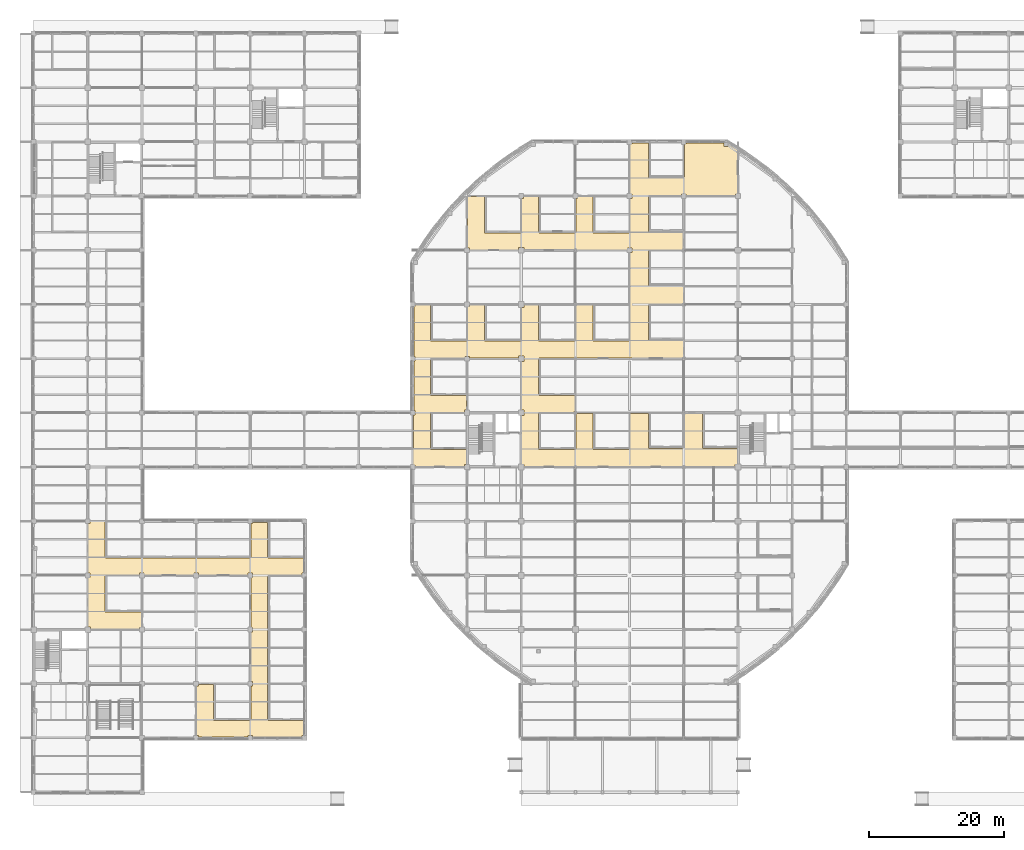
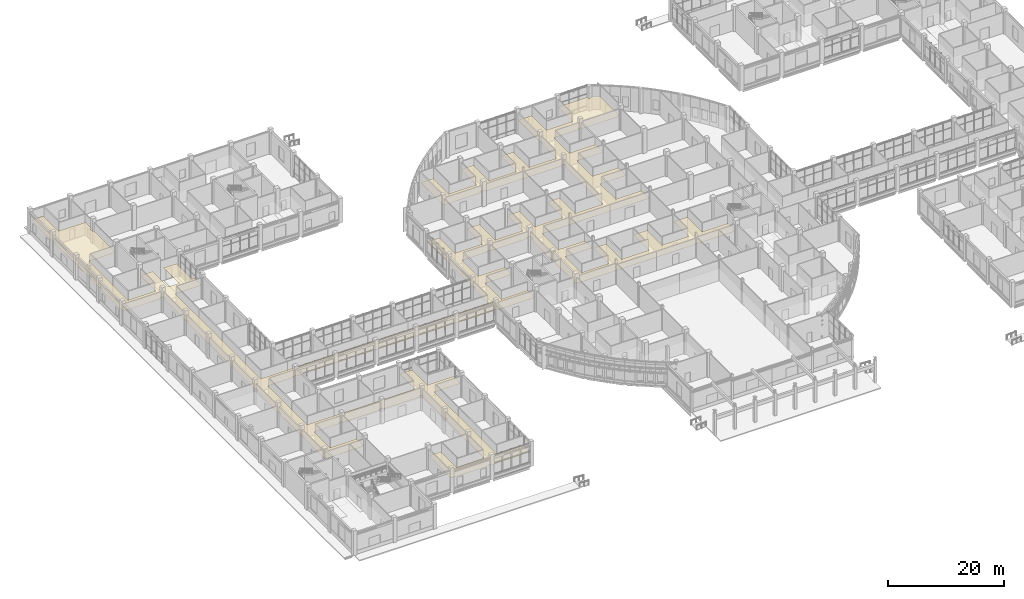
# One storey, part 94 of 105: 1 covering.
"""IFC4 building model written with IfcOpenShell, lengths in metres."""

from ifc_helpers import new_model, si_unit, derived_unit, direction, frame, origin, place, context, subcontext, project, spatial, polyline, outline, extrude, material, layer, layer_set, type_object, element, save


model = new_model("IFC4")

# Units and contexts
model_context = context("Model", 3, precision=1e-05, world=origin(), true_north=direction((0.0, 1.0)))
body_context = subcontext(model_context, "Body", "Model", "MODEL_VIEW")
ifc_project = project(units=[si_unit("LENGTHUNIT", "METRE"), si_unit("AREAUNIT", "SQUARE_METRE"), si_unit("VOLUMEUNIT", "CUBIC_METRE"), si_unit("PLANEANGLEUNIT", "RADIAN"), si_unit("MASSUNIT", "GRAM", prefix="KILO"), derived_unit("THERMALTRANSMITTANCEUNIT", [(si_unit("MASSUNIT", "GRAM", prefix="KILO"), 1), (si_unit("TIMEUNIT", "SECOND"), -3), (si_unit("THERMODYNAMICTEMPERATUREUNIT", "KELVIN"), -1)])], contexts=[model_context])

# Site, building, storey
site_placement = place(None, origin())
site = spatial("IfcSite", under=ifc_project, at=site_placement, CompositionType="ELEMENT")
building_placement = place(site_placement, origin())
building = spatial("IfcBuilding", under=site, at=building_placement, Name="Veyamyaing Civic Hall", CompositionType="ELEMENT")
storey_placement = place(building_placement, origin())
storey = spatial("IfcBuildingStorey", under=building, at=storey_placement, Name="L00", CompositionType="ELEMENT", Elevation=0.0)

# Covering
ifc_material = material(Name="Perforated acoustic gypsum ceiling board")
ifc_layer = layer(ifc_material, 0.02490234375, Name="Perforated acoustic gypsum ceiling board")
ifc_layer_set = layer_set([ifc_layer], Name="Perforated acoustic gypsum ceiling board")
covering_type = type_object("IfcCoveringType", Name="CLG-01", PredefinedType="CEILING", material=ifc_layer_set)
covering_placement = place(storey_placement, frame((0.0, 0.0, 2.699951171875)))
element("IfcCovering", 1, at=covering_placement, inside=storey, type_object=covering_type, Name="Acoustic suspended ceiling CLG-01 L00-C02", PredefinedType="CEILING", context=body_context, shape_type="SweptSolid", body=[
    extrude(outline(polyline([(26.587890625, 10.6083984375), (26.6025390625, 10.59228515625), (26.620849609375, 10.581298828125), (26.652587890625, 10.574951171875), (31.99755859375, 10.574951171875), (32.029296875, 10.581298828125), (32.04736328125, 10.59228515625), (32.06201171875, 10.6083984375), (32.071533203125, 10.62841796875), (32.074951171875, 10.65185546875), (32.074951171875, 15.6650390625), (32.3349609375, 15.6650390625), (32.3349609375, 16.3349609375), (32.074951171875, 16.3349609375), (32.074951171875, 23.6650390625), (32.3349609375, 23.6650390625), (32.3349609375, 24.3349609375), (32.074951171875, 24.3349609375), (32.074951171875, 31.6650390625), (32.3349609375, 31.6650390625), (32.3349609375, 32.3349609375), (31.6650390625, 32.3349609375), (31.6650390625, 32.074951171875), (24.3349609375, 32.074951171875), (24.3349609375, 32.3349609375), (23.6650390625, 32.3349609375), (23.6650390625, 32.074951171875), (16.3349609375, 32.074951171875), (16.3349609375, 32.3349609375), (15.6650390625, 32.3349609375), (15.6650390625, 32.074951171875), (10.65185546875, 32.074951171875), (10.62841796875, 32.071533203125), (10.6083984375, 32.06201171875), (10.59228515625, 32.04736328125), (10.581298828125, 32.029296875), (10.574951171875, 31.99755859375), (10.574951171875, 26.65185546875), (10.57861328125, 26.62841796875), (10.587890625, 26.6083984375), (10.60302734375, 26.591796875), (10.61474609375, 26.583984375), (10.627685546875, 26.57861328125), (10.65185546875, 26.574951171875), (15.925048828125, 26.574951171875), (15.925048828125, 24.3349609375), (15.6650390625, 24.3349609375), (15.6650390625, 24.074951171875), (8.385009765625, 24.074951171875), (8.385009765625, 24.385009765625), (8.074951171875, 24.385009765625), (8.074951171875, 31.6650390625), (8.3349609375, 31.6650390625), (8.3349609375, 32.3349609375), (8.074951171875, 32.3349609375), (8.074951171875, 39.6650390625), (8.3349609375, 39.6650390625), (8.3349609375, 40.3349609375), (8.074951171875, 40.3349609375), (8.074951171875, 47.6650390625), (8.3349609375, 47.6650390625), (8.3349609375, 48.3349609375), (8.074951171875, 48.3349609375), (8.074951171875, 55.6650390625), (8.3349609375, 55.6650390625), (8.3349609375, 56.3349609375), (8.074951171875, 56.3349609375), (8.074951171875, 63.6650390625), (8.3349609375, 63.6650390625), (8.3349609375, 64.3349609375), (8.074951171875, 64.3349609375), (8.074951171875, 71.6650390625), (8.3349609375, 71.6650390625), (8.3349609375, 72.3349609375), (8.074951171875, 72.3349609375), (8.074951171875, 79.639892578125), (8.360107421875, 79.639892578125), (8.360107421875, 80.360107421875), (7.639892578125, 80.360107421875), (7.639892578125, 80.074951171875), (0.360107421875, 80.074951171875), (0.360107421875, 80.360107421875), (0.155029296875, 80.360107421875), (0.155029296875, 87.639892578125), (0.360107421875, 87.639892578125), (0.360107421875, 88.360107421875), (0.155029296875, 88.360107421875), (0.155029296875, 91.715087890625), (0.4599609375, 91.715087890625), (0.4599609375, 92.284912109375), (0.155029296875, 92.284912109375), (0.155029296875, 95.639892578125), (0.360107421875, 95.639892578125), (0.360107421875, 96.360107421875), (0.155029296875, 96.360107421875), (0.155029296875, 103.639892578125), (0.360107421875, 103.639892578125), (0.360107421875, 104.360107421875), (0.155029296875, 104.360107421875), (0.155029296875, 111.639892578125), (0.360107421875, 111.639892578125), (0.360107421875, 111.844970703125), (2.574951171875, 111.844970703125), (2.574951171875, 106.65185546875), (2.57861328125, 106.627685546875), (2.583740234375, 106.615234375), (2.597412109375, 106.5966796875), (2.60791015625, 106.588134765625), (2.62841796875, 106.57861328125), (2.65185546875, 106.574951171875), (7.925048828125, 106.574951171875), (7.925048828125, 104.360107421875), (7.639892578125, 104.360107421875), (7.639892578125, 103.639892578125), (7.925048828125, 103.639892578125), (7.925048828125, 96.385009765625), (7.614990234375, 96.385009765625), (7.614990234375, 96.074951171875), (2.652587890625, 96.074951171875), (2.620849609375, 96.068603515625), (2.6025390625, 96.057861328125), (2.58837890625, 96.0419921875), (2.576904296875, 96.014404296875), (2.574951171875, 82.65185546875), (2.57861328125, 82.62841796875), (2.588134765625, 82.60791015625), (2.5966796875, 82.597412109375), (2.615234375, 82.583740234375), (2.627685546875, 82.57861328125), (2.65185546875, 82.574951171875), (7.998291015625, 82.574951171875), (8.021728515625, 82.57861328125), (8.0419921875, 82.588134765625), (8.052490234375, 82.5966796875), (8.06640625, 82.615234375), (8.0712890625, 82.627685546875), (8.074951171875, 82.65185546875), (8.074951171875, 87.614990234375), (8.385009765625, 87.614990234375), (8.385009765625, 87.925048828125), (10.574951171875, 87.925048828125), (10.574951171875, 82.652587890625), (10.581298828125, 82.620849609375), (10.59228515625, 82.6025390625), (10.6083984375, 82.587890625), (10.62841796875, 82.57861328125), (10.65185546875, 82.574951171875), (12.697509765625, 82.574951171875), (12.729248046875, 82.581298828125), (12.747314453125, 82.59228515625), (12.76220703125, 82.6083984375), (12.771484375, 82.62841796875), (12.77490234375, 82.65185546875), (12.77490234375, 87.925048828125), (15.27490234375, 87.925048828125), (15.275390625, 82.643310546875), (15.28076171875, 82.6220703125), (15.297607421875, 82.5966796875), (15.314697265625, 82.583984375), (15.3349609375, 82.576904296875), (15.844970703125, 82.574951171875), (15.844970703125, 80.3349609375), (15.6650390625, 80.3349609375), (15.6650390625, 80.074951171875), (10.652587890625, 80.074951171875), (10.62158203125, 80.06884765625), (10.597412109375, 80.052734375), (10.580810546875, 80.028076171875), (10.575439453125, 80.006591796875), (10.574951171875, 50.652587890625), (10.581298828125, 50.620849609375), (10.59228515625, 50.6025390625), (10.60791015625, 50.58837890625), (10.635498046875, 50.576904296875), (55.998291015625, 50.574951171875), (56.022216796875, 50.57861328125), (56.03466796875, 50.583740234375), (56.05322265625, 50.597412109375), (56.061767578125, 50.60791015625), (56.071533203125, 50.62841796875), (56.074951171875, 50.65185546875), (56.074951171875, 55.6650390625), (56.3349609375, 55.6650390625), (56.3349609375, 56.3349609375), (56.155029296875, 56.3349609375), (56.155029296875, 63.6650390625), (56.3349609375, 63.6650390625), (56.3349609375, 64.3349609375), (56.155029296875, 64.3349609375), (56.155029296875, 71.6650390625), (56.3349609375, 71.6650390625), (56.3349609375, 71.925048828125), (58.574951171875, 71.925048828125), (58.574951171875, 66.65185546875), (58.578369140625, 66.62890625), (58.59228515625, 66.602783203125), (58.615478515625, 66.583984375), (58.635009765625, 66.576904296875), (63.99755859375, 66.574951171875), (64.028564453125, 66.581298828125), (64.052734375, 66.597412109375), (64.06884765625, 66.62158203125), (64.074951171875, 66.652587890625), (64.074951171875, 71.6650390625), (64.3349609375, 71.6650390625), (64.3349609375, 71.925048828125), (66.574951171875, 71.925048828125), (66.574951171875, 66.65185546875), (66.578369140625, 66.62890625), (66.5927734375, 66.602294921875), (66.60791015625, 66.58837890625), (66.635498046875, 66.576904296875), (71.99755859375, 66.574951171875), (72.028564453125, 66.581298828125), (72.052734375, 66.597412109375), (72.06884765625, 66.62158203125), (72.074951171875, 66.652587890625), (72.074951171875, 71.590087890625), (72.409912109375, 71.590087890625), (72.409912109375, 71.925048828125), (74.574951171875, 71.925048828125), (74.574951171875, 66.65185546875), (74.57861328125, 66.62841796875), (74.587646484375, 66.60888671875), (74.60888671875, 66.587646484375), (74.62841796875, 66.57861328125), (74.65185546875, 66.574951171875), (79.99755859375, 66.574951171875), (80.028564453125, 66.581298828125), (80.052734375, 66.597412109375), (80.06884765625, 66.62158203125), (80.074951171875, 66.652587890625), (80.074951171875, 71.821533203125), (80.18408203125, 71.821533203125), (80.18408203125, 71.925048828125), (82.574951171875, 71.925048828125), (82.574951171875, 66.65185546875), (82.57861328125, 66.627685546875), (82.583740234375, 66.615234375), (82.597412109375, 66.5966796875), (82.60791015625, 66.588134765625), (82.62841796875, 66.57861328125), (82.65185546875, 66.574951171875), (87.998291015625, 66.574951171875), (88.02099609375, 66.578369140625), (88.0478515625, 66.5927734375), (88.061767578125, 66.60791015625), (88.072998046875, 66.635498046875), (88.074951171875, 79.6650390625), (88.3349609375, 79.6650390625), (88.3349609375, 80.3349609375), (87.6650390625, 80.3349609375), (87.6650390625, 80.074951171875), (80.18408203125, 80.074951171875), (80.18408203125, 80.178466796875), (79.81591796875, 80.178466796875), (79.81591796875, 80.074951171875), (72.409912109375, 80.074951171875), (72.409912109375, 80.409912109375), (71.590087890625, 80.409912109375), (71.590087890625, 80.074951171875), (64.3349609375, 80.074951171875), (64.3349609375, 80.3349609375), (64.074951171875, 80.3349609375), (64.074951171875, 87.862060546875), (64.109619140625, 87.890380859375), (64.137939453125, 87.925048828125), (66.574951171875, 87.925048828125), (66.574951171875, 82.65185546875), (66.578369140625, 82.62890625), (66.5927734375, 82.602294921875), (66.60791015625, 82.58837890625), (66.635498046875, 82.576904296875), (71.99755859375, 82.574951171875), (72.028564453125, 82.581298828125), (72.052734375, 82.597412109375), (72.06884765625, 82.62158203125), (72.074951171875, 82.652587890625), (72.074951171875, 87.6650390625), (72.3349609375, 87.6650390625), (72.3349609375, 87.925048828125), (74.574951171875, 87.925048828125), (74.574951171875, 82.65185546875), (74.57861328125, 82.62841796875), (74.587646484375, 82.60888671875), (74.60888671875, 82.587646484375), (74.62841796875, 82.57861328125), (74.65185546875, 82.574951171875), (79.998291015625, 82.574951171875), (80.021728515625, 82.57861328125), (80.0419921875, 82.588134765625), (80.052490234375, 82.5966796875), (80.06640625, 82.615234375), (80.0712890625, 82.627685546875), (80.074951171875, 82.65185546875), (80.074951171875, 87.6650390625), (80.3349609375, 87.6650390625), (80.3349609375, 87.925048828125), (82.574951171875, 87.925048828125), (82.574951171875, 82.652587890625), (82.581298828125, 82.62158203125), (82.597412109375, 82.597412109375), (82.62158203125, 82.581298828125), (82.652587890625, 82.574951171875), (88.014404296875, 82.576904296875), (88.0419921875, 82.58837890625), (88.057373046875, 82.602294921875), (88.071533203125, 82.62890625), (88.074951171875, 82.65185546875), (88.074951171875, 87.6650390625), (88.3349609375, 87.6650390625), (88.3349609375, 88.3349609375), (88.074951171875, 88.3349609375), (88.074951171875, 95.6650390625), (88.3349609375, 95.6650390625), (88.3349609375, 95.844970703125), (90.77490234375, 95.844970703125), (90.77490234375, 90.8525390625), (90.78125, 90.821533203125), (90.79736328125, 90.79736328125), (90.821533203125, 90.78125), (90.8525390625, 90.77490234375), (95.99755859375, 90.77490234375), (96.028564453125, 90.78125), (96.052734375, 90.79736328125), (96.06884765625, 90.821533203125), (96.074951171875, 90.8525390625), (96.074951171875, 95.6650390625), (96.3349609375, 95.6650390625), (96.3349609375, 95.844970703125), (101.935791015625, 95.844970703125), (101.935791015625, 95.351318359375), (102.505859375, 95.351318359375), (102.505859375, 95.77392578125), (103.925048828125, 94.917236328125), (103.925048828125, 88.3349609375), (103.6650390625, 88.3349609375), (103.6650390625, 88.074951171875), (96.3349609375, 88.074951171875), (96.3349609375, 88.3349609375), (95.6650390625, 88.3349609375), (95.6650390625, 88.074951171875), (90.851806640625, 88.074951171875), (90.828369140625, 88.071533203125), (90.80908203125, 88.0625), (90.78759765625, 88.041015625), (90.778564453125, 88.021728515625), (90.77490234375, 87.998291015625), (90.77490234375, 82.8525390625), (90.78125, 82.821533203125), (90.79736328125, 82.79736328125), (90.821533203125, 82.78125), (90.8525390625, 82.77490234375), (95.925048828125, 82.77490234375), (95.925048828125, 80.178466796875), (95.81591796875, 80.178466796875), (95.81591796875, 80.074951171875), (90.851806640625, 80.074951171875), (90.82763671875, 80.0712890625), (90.815185546875, 80.06640625), (90.796630859375, 80.052490234375), (90.7880859375, 80.0419921875), (90.778564453125, 80.021728515625), (90.77490234375, 79.998291015625), (90.77490234375, 74.851806640625), (90.778564453125, 74.828369140625), (90.78759765625, 74.80908203125), (90.80908203125, 74.78759765625), (90.828369140625, 74.778564453125), (90.851806640625, 74.77490234375), (95.925048828125, 74.77490234375), (95.925048828125, 72.178466796875), (95.81591796875, 72.178466796875), (95.81591796875, 72.074951171875), (90.8525390625, 72.074951171875), (90.821533203125, 72.06884765625), (90.79736328125, 72.052734375), (90.78125, 72.028564453125), (90.77490234375, 71.99755859375), (90.77685546875, 66.83544921875), (90.788330078125, 66.80810546875), (90.80224609375, 66.792724609375), (90.8291015625, 66.7783203125), (90.851806640625, 66.77490234375), (95.925048828125, 66.77490234375), (95.925048828125, 64.178466796875), (95.81591796875, 64.178466796875), (95.81591796875, 64.074951171875), (80.18408203125, 64.074951171875), (80.18408203125, 64.178466796875), (79.81591796875, 64.178466796875), (79.81591796875, 64.074951171875), (74.652587890625, 64.074951171875), (74.62158203125, 64.06884765625), (74.597412109375, 64.052734375), (74.581298828125, 64.028564453125), (74.574951171875, 63.99755859375), (74.574951171875, 58.652587890625), (74.581298828125, 58.62158203125), (74.597412109375, 58.597412109375), (74.62158203125, 58.581298828125), (74.652587890625, 58.574951171875), (79.925048828125, 58.574951171875), (79.925048828125, 56.178466796875), (79.81591796875, 56.178466796875), (79.81591796875, 56.074951171875), (74.65185546875, 56.074951171875), (74.627685546875, 56.0712890625), (74.615234375, 56.06640625), (74.5966796875, 56.052490234375), (74.588134765625, 56.0419921875), (74.57861328125, 56.021728515625), (74.574951171875, 55.998291015625), (74.574951171875, 50.65185546875), (74.57861328125, 50.62841796875), (74.588134765625, 50.60791015625), (74.5966796875, 50.597412109375), (74.615234375, 50.583740234375), (74.627685546875, 50.57861328125), (74.65185546875, 50.574951171875), (79.99755859375, 50.574951171875), (80.028564453125, 50.581298828125), (80.052734375, 50.597412109375), (80.06884765625, 50.62158203125), (80.074951171875, 50.652587890625), (80.074951171875, 55.821533203125), (80.18408203125, 55.821533203125), (80.18408203125, 55.925048828125), (82.574951171875, 55.925048828125), (82.574951171875, 50.65185546875), (82.57861328125, 50.62841796875), (82.587890625, 50.6083984375), (82.602294921875, 50.5927734375), (82.62890625, 50.578369140625), (82.65185546875, 50.574951171875), (87.99755859375, 50.574951171875), (88.028564453125, 50.581298828125), (88.052734375, 50.597412109375), (88.06884765625, 50.62158203125), (88.074951171875, 50.652587890625), (88.074951171875, 55.925048828125), (90.77490234375, 55.925048828125), (90.77490234375, 50.851806640625), (90.778564453125, 50.82763671875), (90.78369140625, 50.815185546875), (90.797607421875, 50.796630859375), (90.807861328125, 50.7880859375), (90.828369140625, 50.778564453125), (90.851806640625, 50.77490234375), (96.014404296875, 50.77685546875), (96.0419921875, 50.788330078125), (96.057861328125, 50.802490234375), (96.068603515625, 50.82080078125), (96.074951171875, 50.8525390625), (96.074951171875, 55.821533203125), (96.18408203125, 55.821533203125), (96.18408203125, 55.925048828125), (98.77490234375, 55.925048828125), (98.77490234375, 50.851806640625), (98.778564453125, 50.828369140625), (98.7880859375, 50.807861328125), (98.796630859375, 50.797607421875), (98.815185546875, 50.78369140625), (98.82763671875, 50.778564453125), (98.851806640625, 50.77490234375), (103.925048828125, 50.77490234375), (103.925048828125, 48.409912109375), (103.590087890625, 48.409912109375), (103.590087890625, 48.074951171875), (96.18408203125, 48.074951171875), (96.18408203125, 48.178466796875), (95.81591796875, 48.178466796875), (95.81591796875, 48.074951171875), (80.18408203125, 48.074951171875), (80.18408203125, 48.178466796875), (79.81591796875, 48.178466796875), (79.81591796875, 48.074951171875), (72.409912109375, 48.074951171875), (72.409912109375, 48.409912109375), (72.074951171875, 48.409912109375), (72.074951171875, 55.590087890625), (72.409912109375, 55.590087890625), (72.409912109375, 56.409912109375), (72.074951171875, 56.409912109375), (72.074951171875, 63.590087890625), (72.409912109375, 63.590087890625), (72.409912109375, 64.409912109375), (71.590087890625, 64.409912109375), (71.590087890625, 64.074951171875), (64.3349609375, 64.074951171875), (64.3349609375, 64.3349609375), (63.6650390625, 64.3349609375), (63.6650390625, 64.074951171875), (58.65185546875, 64.074951171875), (58.62841796875, 64.071533203125), (58.60791015625, 64.061767578125), (58.597412109375, 64.05322265625), (58.583740234375, 64.03466796875), (58.57861328125, 64.022216796875), (58.574951171875, 63.998291015625), (58.574951171875, 58.65185546875), (58.57861328125, 58.62841796875), (58.588134765625, 58.60791015625), (58.5966796875, 58.597412109375), (58.615234375, 58.583740234375), (58.627685546875, 58.57861328125), (58.65185546875, 58.574951171875), (63.925048828125, 58.574951171875), (63.925048828125, 56.385009765625), (63.614990234375, 56.385009765625), (63.614990234375, 56.074951171875), (58.652587890625, 56.074951171875), (58.62158203125, 56.06884765625), (58.597412109375, 56.052734375), (58.581298828125, 56.028564453125), (58.574951171875, 55.99755859375), (58.574951171875, 50.65185546875), (58.57861328125, 50.62841796875), (58.587890625, 50.6083984375), (58.602294921875, 50.5927734375), (58.62890625, 50.578369140625), (58.65185546875, 50.574951171875), (63.925048828125, 50.574951171875), (63.925048828125, 48.385009765625), (63.614990234375, 48.385009765625), (63.614990234375, 48.074951171875), (56.3349609375, 48.074951171875), (56.3349609375, 48.3349609375), (55.6650390625, 48.3349609375), (55.6650390625, 48.155029296875), (48.3349609375, 48.155029296875), (48.3349609375, 48.3349609375), (47.6650390625, 48.3349609375), (47.6650390625, 48.155029296875), (40.3349609375, 48.155029296875), (40.3349609375, 48.3349609375), (39.6650390625, 48.3349609375), (39.6650390625, 48.155029296875), (32.3349609375, 48.155029296875), (32.3349609375, 48.3349609375), (31.6650390625, 48.3349609375), (31.6650390625, 48.155029296875), (24.3349609375, 48.155029296875), (24.3349609375, 48.3349609375), (23.6650390625, 48.3349609375), (23.6650390625, 48.155029296875), (16.3349609375, 48.155029296875), (16.3349609375, 48.3349609375), (15.6650390625, 48.3349609375), (15.6650390625, 48.074951171875), (10.652587890625, 48.074951171875), (10.62158203125, 48.06884765625), (10.597412109375, 48.052734375), (10.581298828125, 48.028564453125), (10.574951171875, 47.99755859375), (10.574951171875, 34.65185546875), (10.57861328125, 34.62841796875), (10.587890625, 34.6083984375), (10.6025390625, 34.59228515625), (10.620849609375, 34.581298828125), (10.652587890625, 34.574951171875), (32.014404296875, 34.576904296875), (32.0419921875, 34.58837890625), (32.057373046875, 34.602294921875), (32.071533203125, 34.62890625), (32.074951171875, 34.65185546875), (32.074951171875, 39.6650390625), (32.3349609375, 39.6650390625), (32.3349609375, 39.844970703125), (34.574951171875, 39.844970703125), (34.574951171875, 34.652587890625), (34.581298828125, 34.62158203125), (34.597412109375, 34.597412109375), (34.62158203125, 34.581298828125), (34.652587890625, 34.574951171875), (39.844970703125, 34.574951171875), (39.844970703125, 32.3349609375), (39.6650390625, 32.3349609375), (39.6650390625, 32.074951171875), (34.652587890625, 32.074951171875), (34.62158203125, 32.06884765625), (34.597412109375, 32.052734375), (34.581298828125, 32.028564453125), (34.574951171875, 31.99755859375), (34.576904296875, 10.635498046875), (34.58837890625, 10.60791015625), (34.6025390625, 10.59228515625), (34.620849609375, 10.581298828125), (34.652587890625, 10.574951171875), (39.844970703125, 10.574951171875), (39.844970703125, 8.3349609375), (39.6650390625, 8.3349609375), (39.6650390625, 8.155029296875), (32.3349609375, 8.155029296875), (32.3349609375, 8.3349609375), (31.6650390625, 8.3349609375), (31.6650390625, 8.155029296875), (24.3349609375, 8.155029296875), (24.3349609375, 8.3349609375), (24.074951171875, 8.3349609375), (24.074951171875, 15.6650390625), (24.3349609375, 15.6650390625), (24.3349609375, 15.925048828125), (26.574951171875, 15.925048828125), (26.574951171875, 10.65185546875), (26.57861328125, 10.62841796875), (26.587890625, 10.6083984375)])), origin(), (0.0, 0.0, 1.0), 0.025146484375),
])

save(model, "model.ifc")
